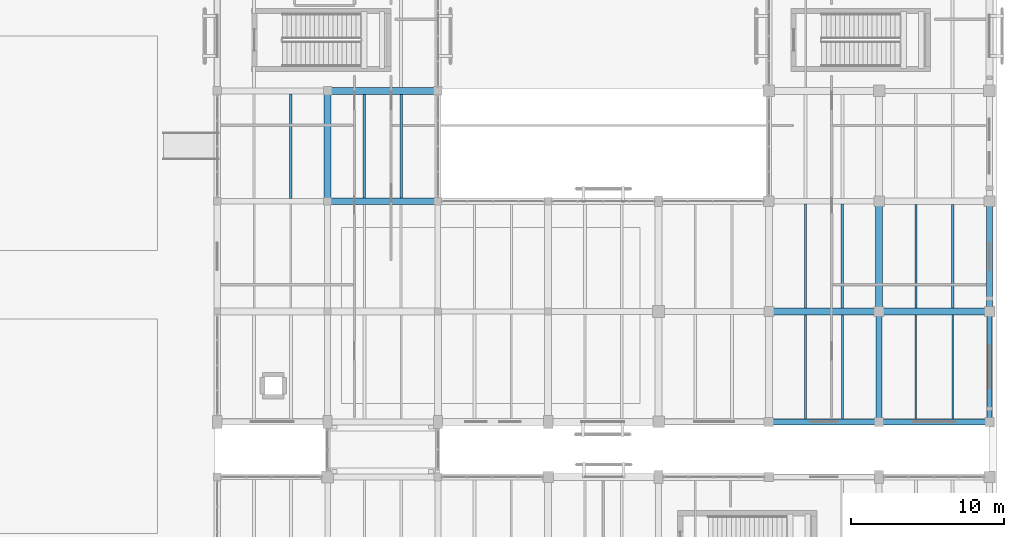
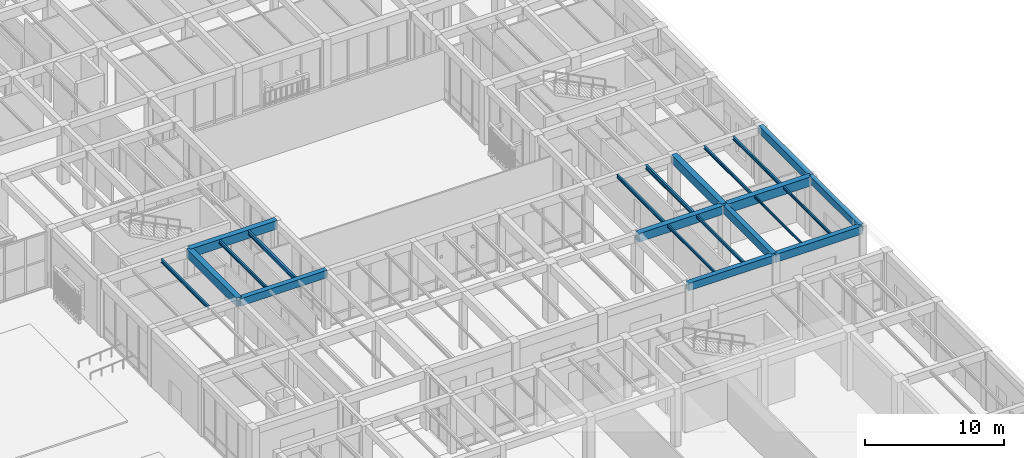
# One storey, part 93 of 169: 22 beams.
"""IFC4 building model written with IfcOpenShell, lengths in metres."""

from ifc_helpers import new_model, si_unit, direction, frame, origin, origin_2d, place, context, subcontext, project, spatial, rectangle, i_section, extrude, material, material_profile, profile_set, type_object, element, save


model = new_model("IFC4")

# Units and contexts
model_context = context("Model", 3, precision=1e-05, world=origin(), true_north=direction((0.0, 1.0)))
body_context = subcontext(model_context, "Body", "Model", "MODEL_VIEW")
ifc_project = project(units=[si_unit("LENGTHUNIT", "METRE"), si_unit("AREAUNIT", "SQUARE_METRE"), si_unit("VOLUMEUNIT", "CUBIC_METRE"), si_unit("PLANEANGLEUNIT", "RADIAN"), si_unit("MASSUNIT", "GRAM", prefix="KILO")], contexts=[model_context])

# Site, building, storey
site_placement = place(None, origin())
site = spatial("IfcSite", under=ifc_project, at=site_placement, CompositionType="ELEMENT")
building_placement = place(site_placement, origin())
building = spatial("IfcBuilding", under=site, at=building_placement, Name="Mazaris Harbour Polytechnic", CompositionType="ELEMENT")
storey_placement = place(building_placement, origin())
storey = spatial("IfcBuildingStorey", under=building, at=storey_placement, Name="L00", CompositionType="ELEMENT", Elevation=0.0)

# Beams
ifc_material_1 = material(Name="Concrete C35/45", Category="concrete")
ifc_material_profile_1 = material_profile(ifc_material_1, rectangle(XDim=0.35009765625, YDim=0.60009765625, at=origin_2d()), Name="RECT350x600")
ifc_profile_set_1 = profile_set([ifc_material_profile_1], Name="Concrete C35/45")
beam_type_1 = type_object("IfcBeamType", Name="RC Girder 350x600 Exterior", PredefinedType="BEAM", material=ifc_profile_set_1)
beam_1_placement = place(storey_placement, frame((172.800048828125, 46.800048828125, 4.800048828125), z_axis=(0.0, 1.0, 0.0), x_axis=(-1.0, 0.0, 0.0)))
element("IfcBeam", 1, at=beam_1_placement, inside=storey, type_object=beam_type_1, Name="V5 L00 Tie Girder 2810", PredefinedType="BEAM", context=body_context, shape_type="SweptSolid", body=[
    extrude(rectangle(XDim=0.35009765625, YDim=0.60009765625, at=origin_2d()), origin(), (0.0, 0.0, 1.0), 7.199951171875),
])
ifc_material_2 = material(Name="Concrete C35/45", Category="concrete")
ifc_material_profile_2 = material_profile(ifc_material_2, rectangle(XDim=0.39990234375, YDim=0.64990234375, at=origin_2d()), Name="RECT400x650")
ifc_profile_set_2 = profile_set([ifc_material_profile_2], Name="Concrete C35/45")
beam_type_2 = type_object("IfcBeamType", Name="RC Girder 400x650", PredefinedType="BEAM", material=ifc_profile_set_2)
beam_2_placement = place(storey_placement, frame((129.60009765625, 61.199951171875, 4.77490234375), z_axis=(1.0, 0.0, 0.0), x_axis=(0.0, 1.0, 0.0)))
element("IfcBeam", 2, at=beam_2_placement, inside=storey, type_object=beam_type_2, Name="V5 L00 Girder 2711", PredefinedType="BEAM", context=body_context, shape_type="SweptSolid", body=[
    extrude(rectangle(XDim=0.39990234375, YDim=0.64990234375, at=origin_2d()), origin(), (0.0, 0.0, 1.0), 7.199951171875),
])
ifc_material_3 = material(Name="Concrete C35/45", Category="concrete")
ifc_material_profile_3 = material_profile(ifc_material_3, rectangle(XDim=0.39990234375, YDim=0.64990234375, at=origin_2d()), Name="RECT400x650")
ifc_profile_set_3 = profile_set([ifc_material_profile_3], Name="Concrete C35/45")
beam_type_3 = type_object("IfcBeamType", Name="RC Girder 400x650 Exterior", PredefinedType="BEAM", material=ifc_profile_set_3)
beam_3_placement = place(storey_placement, frame((158.39990234375, 46.800048828125, 4.77490234375), z_axis=(1.0, 0.0, 0.0), x_axis=(0.0, 1.0, 0.0)))
element("IfcBeam", 3, at=beam_3_placement, inside=storey, type_object=beam_type_3, Name="V5 L00 Girder 2701", PredefinedType="BEAM", context=body_context, shape_type="SweptSolid", body=[
    extrude(rectangle(XDim=0.39990234375, YDim=0.64990234375, at=origin_2d()), origin(), (0.0, 0.0, 1.0), 7.2001953125),
])
beam_4_placement = place(storey_placement, frame((172.800048828125, 54.0, 4.77490234375), z_axis=(0.0, 1.0, 0.0), x_axis=(-1.0, 0.0, 0.0)))
element("IfcBeam", 4, at=beam_4_placement, inside=storey, type_object=beam_type_3, Name="V5 L00 Tie Girder 2811", PredefinedType="BEAM", context=body_context, shape_type="SweptSolid", body=[
    extrude(rectangle(XDim=0.39990234375, YDim=0.64990234375, at=origin_2d()), origin(), (0.0, 0.0, 1.0), 7.199951171875),
])
ifc_material_4 = material(Name="Concrete C35/45", Category="concrete")
ifc_material_profile_4 = material_profile(ifc_material_4, rectangle(XDim=0.39990234375, YDim=0.699951171875, at=origin_2d()), Name="RECT400x700")
ifc_profile_set_4 = profile_set([ifc_material_profile_4], Name="Concrete C35/45")
beam_type_4 = type_object("IfcBeamType", Name="RC Girder 400x700", PredefinedType="BEAM", material=ifc_profile_set_4)
beam_5_placement = place(storey_placement, frame((165.60009765625, 46.800048828125, 4.75), z_axis=(0.0, 1.0, 0.0), x_axis=(-1.0, 0.0, 0.0)))
element("IfcBeam", 5, at=beam_5_placement, inside=storey, type_object=beam_type_4, Name="V5 L00 Tie Girder 2802", PredefinedType="BEAM", context=body_context, shape_type="SweptSolid", body=[
    extrude(rectangle(XDim=0.39990234375, YDim=0.699951171875, at=origin_2d()), origin(), (0.0, 0.0, 1.0), 7.199951171875),
])
ifc_material_5 = material(Name="Concrete C35/45", Category="concrete")
ifc_material_profile_5 = material_profile(ifc_material_5, rectangle(XDim=0.39990234375, YDim=0.699951171875, at=origin_2d()), Name="RECT400x700")
ifc_profile_set_5 = profile_set([ifc_material_profile_5], Name="Concrete C35/45")
beam_type_5 = type_object("IfcBeamType", Name="RC Girder 400x700 Exterior", PredefinedType="BEAM", material=ifc_profile_set_5)
beam_6_placement = place(storey_placement, frame((165.60009765625, 46.800048828125, 4.75), z_axis=(1.0, 0.0, 0.0), x_axis=(0.0, 1.0, 0.0)))
element("IfcBeam", 6, at=beam_6_placement, inside=storey, type_object=beam_type_5, Name="V5 L00 Girder 2702", PredefinedType="BEAM", context=body_context, shape_type="SweptSolid", body=[
    extrude(rectangle(XDim=0.39990234375, YDim=0.699951171875, at=origin_2d()), origin(), (0.0, 0.0, 1.0), 7.199951171875),
])
ifc_material_6 = material(Name="Concrete C40/50", Category="concrete")
ifc_material_profile_6 = material_profile(ifc_material_6, rectangle(XDim=0.449951171875, YDim=0.75, at=origin_2d()), Name="RECT450x750")
ifc_profile_set_6 = profile_set([ifc_material_profile_6], Name="Concrete C40/50")
beam_type_6 = type_object("IfcBeamType", Name="RC Girder 450x750", PredefinedType="BEAM", material=ifc_profile_set_6)
beam_7_placement = place(storey_placement, frame((158.39990234375, 54.0, 4.72509765625), z_axis=(1.0, 0.0, 0.0), x_axis=(0.0, 1.0, 0.0)))
element("IfcBeam", 7, at=beam_7_placement, inside=storey, type_object=beam_type_6, Name="V5 L00 Girder 2708", PredefinedType="BEAM", context=body_context, shape_type="SweptSolid", body=[
    extrude(rectangle(XDim=0.449951171875, YDim=0.75, at=origin_2d()), origin(), (0.0, 0.0, 1.0), 7.2001953125),
])
for number, where, z_axis, x_axis, name in (
    (8, (129.60009765625, 68.39990234375, 4.72509765625), (1.0, 0.0, 0.0), (0.0, 1.0, 0.0), "V5 L00 Girder 2718"),
    (9, (129.60009765625, 61.199951171875, 4.72509765625), (0.0, 1.0, 0.0), (-1.0, 0.0, 0.0), "V5 L00 Tie Girder 2768"),
    (10, (165.60009765625, 54.0, 4.72509765625), (0.0, 1.0, 0.0), (-1.0, 0.0, 0.0), "V5 L00 Tie Girder 2803"),
):
    element("IfcBeam", number, at=place(storey_placement, frame(where, z_axis=z_axis, x_axis=x_axis)), inside=storey, type_object=beam_type_6, Name=name, PredefinedType="BEAM", context=body_context, shape_type="SweptSolid", body=[
        extrude(rectangle(XDim=0.449951171875, YDim=0.75, at=origin_2d()), origin(), (0.0, 0.0, 1.0), 7.199951171875),
    ])
ifc_material_7 = material(Name="Concrete C40/50", Category="concrete")
ifc_material_profile_7 = material_profile(ifc_material_7, rectangle(XDim=0.449951171875, YDim=0.800048828125, at=origin_2d()), Name="RECT450x800")
ifc_profile_set_7 = profile_set([ifc_material_profile_7], Name="Concrete C40/50")
beam_type_7 = type_object("IfcBeamType", Name="RC Girder 450x800", PredefinedType="BEAM", material=ifc_profile_set_7)
beam_8_placement = place(storey_placement, frame((165.60009765625, 54.0, 4.699951171875), z_axis=(1.0, 0.0, 0.0), x_axis=(0.0, 1.0, 0.0)))
element("IfcBeam", 11, at=beam_8_placement, inside=storey, type_object=beam_type_7, Name="V5 L00 Girder 2709", PredefinedType="BEAM", context=body_context, shape_type="SweptSolid", body=[
    extrude(rectangle(XDim=0.449951171875, YDim=0.800048828125, at=origin_2d()), origin(), (0.0, 0.0, 1.0), 7.199951171875),
])
ifc_material_8 = material(Name="Steel S355", Category="steel")
ifc_material_profile_8 = material_profile(ifc_material_8, i_section(OverallWidth=0.10009765625, OverallDepth=0.199951171875, WebThickness=0.005615234375, FlangeThickness=0.008544921875, FilletRadius=0.011962890625, at=origin_2d()), Name="IPE 200")
ifc_profile_set_8 = profile_set([ifc_material_profile_8], Name="Steel S355")
beam_type_8 = type_object("IfcBeamType", Name="Steel Joist IPE200", PredefinedType="JOIST", material=ifc_profile_set_8)
beam_9_placement = place(storey_placement, frame((168.0, 47.0, 5.0), z_axis=(0.0, 1.0, 0.0), x_axis=(-1.0, 0.0, 0.0)))
element("IfcBeam", 12, at=beam_9_placement, inside=storey, type_object=beam_type_8, Name="V5 L00 Floor Joist 2891", PredefinedType="JOIST", context=body_context, shape_type="SweptSolid", body=[
    extrude(i_section(OverallWidth=0.10009765625, OverallDepth=0.199951171875, WebThickness=0.005615234375, FlangeThickness=0.008544921875, FilletRadius=0.011962890625, at=origin_2d()), origin(), (0.0, 0.0, 1.0), 6.77490234375),
])
ifc_material_9 = material(Name="Steel S355", Category="steel")
ifc_material_profile_9 = material_profile(ifc_material_9, i_section(OverallWidth=0.1201171875, OverallDepth=0.239990234375, WebThickness=0.006103515625, FlangeThickness=0.009765625, FilletRadius=0.014892578125, at=origin_2d()), Name="IPE 240")
ifc_profile_set_9 = profile_set([ifc_material_profile_9], Name="Steel S355")
beam_type_9 = type_object("IfcBeamType", Name="Steel Joist IPE240", PredefinedType="JOIST", material=ifc_profile_set_9)
for number, where, z_axis, x_axis, name in (
    (13, (160.800048828125, 47.0, 4.97998046875), (0.0, 1.0, 0.0), (-1.0, 0.0, 0.0), "V5 L00 Floor Joist 2878"),
    (14, (170.39990234375, 47.0, 4.97998046875), (0.0, 1.0, 0.0), (-1.0, 0.0, 0.0), "V5 L00 Floor Joist 2892"),
):
    element("IfcBeam", number, at=place(storey_placement, frame(where, z_axis=z_axis, x_axis=x_axis)), inside=storey, type_object=beam_type_9, Name=name, PredefinedType="JOIST", context=body_context, shape_type="SweptSolid", body=[
        extrude(i_section(OverallWidth=0.1201171875, OverallDepth=0.239990234375, WebThickness=0.006103515625, FlangeThickness=0.009765625, FilletRadius=0.014892578125, at=origin_2d()), origin(), (0.0, 0.0, 1.0), 6.77490234375),
    ])
ifc_material_10 = material(Name="Steel S355", Category="steel")
ifc_material_profile_10 = material_profile(ifc_material_10, i_section(OverallWidth=0.135009765625, OverallDepth=0.27001953125, WebThickness=0.006591796875, FlangeThickness=0.01025390625, FilletRadius=0.014892578125, at=origin_2d()), Name="IPE 270")
ifc_profile_set_10 = profile_set([ifc_material_profile_10], Name="Steel S355")
beam_type_10 = type_object("IfcBeamType", Name="Steel Joist IPE270", PredefinedType="JOIST", material=ifc_profile_set_10)
for number, where, z_axis, x_axis, name in (
    (15, (163.199951171875, 47.0, 4.965087890625), (0.0, 1.0, 0.0), (-1.0, 0.0, 0.0), "V5 L00 Floor Joist 2879"),
    (16, (168.0, 54.22509765625, 4.965087890625), (0.0, 1.0, 0.0), (-1.0, 0.0, 0.0), "V5 L00 Floor Joist 2893"),
):
    element("IfcBeam", number, at=place(storey_placement, frame(where, z_axis=z_axis, x_axis=x_axis)), inside=storey, type_object=beam_type_10, Name=name, PredefinedType="JOIST", context=body_context, shape_type="SweptSolid", body=[
        extrude(i_section(OverallWidth=0.135009765625, OverallDepth=0.27001953125, WebThickness=0.006591796875, FlangeThickness=0.01025390625, FilletRadius=0.014892578125, at=origin_2d()), origin(), (0.0, 0.0, 1.0), 6.77490234375),
    ])
ifc_material_11 = material(Name="Steel S355", Category="steel")
ifc_material_profile_11 = material_profile(ifc_material_11, i_section(OverallWidth=0.14990234375, OverallDepth=0.300048828125, WebThickness=0.007080078125, FlangeThickness=0.0107421875, FilletRadius=0.014892578125, at=origin_2d()), Name="IPE 300")
ifc_profile_set_11 = profile_set([ifc_material_profile_11], Name="Steel S355")
beam_type_11 = type_object("IfcBeamType", Name="Steel Joist IPE300", PredefinedType="JOIST", material=ifc_profile_set_11)
beam_10_placement = place(storey_placement, frame((127.199951171875, 61.375, 4.949951171875), z_axis=(0.0, 1.0, 0.0), x_axis=(-1.0, 0.0, 0.0)))
element("IfcBeam", 17, at=beam_10_placement, inside=storey, type_object=beam_type_11, Name="V5 L00 Floor Joist 2824", PredefinedType="JOIST", context=body_context, shape_type="SweptSolid", body=[
    extrude(i_section(OverallWidth=0.14990234375, OverallDepth=0.300048828125, WebThickness=0.007080078125, FlangeThickness=0.0107421875, FilletRadius=0.014892578125, at=origin_2d()), origin(), (0.0, 0.0, 1.0), 6.824951171875),
])
beam_11_placement = place(storey_placement, frame((132.0, 61.39990234375, 4.949951171875), z_axis=(0.0, 1.0, 0.0), x_axis=(-1.0, 0.0, 0.0)))
element("IfcBeam", 18, at=beam_11_placement, inside=storey, type_object=beam_type_11, Name="V5 L00 Floor Joist 2838", PredefinedType="JOIST", context=body_context, shape_type="SweptSolid", body=[
    extrude(i_section(OverallWidth=0.14990234375, OverallDepth=0.300048828125, WebThickness=0.007080078125, FlangeThickness=0.0107421875, FilletRadius=0.014892578125, at=origin_2d()), origin(), (0.0, 0.0, 1.0), 6.775146484375),
])
beam_12_placement = place(storey_placement, frame((160.800048828125, 54.22509765625, 4.949951171875), z_axis=(0.0, 1.0, 0.0), x_axis=(-1.0, 0.0, 0.0)))
element("IfcBeam", 19, at=beam_12_placement, inside=storey, type_object=beam_type_11, Name="V5 L00 Floor Joist 2880", PredefinedType="JOIST", context=body_context, shape_type="SweptSolid", body=[
    extrude(i_section(OverallWidth=0.14990234375, OverallDepth=0.300048828125, WebThickness=0.007080078125, FlangeThickness=0.0107421875, FilletRadius=0.014892578125, at=origin_2d()), origin(), (0.0, 0.0, 1.0), 6.7998046875),
])
beam_13_placement = place(storey_placement, frame((170.39990234375, 54.22509765625, 4.949951171875), z_axis=(0.0, 1.0, 0.0), x_axis=(-1.0, 0.0, 0.0)))
element("IfcBeam", 20, at=beam_13_placement, inside=storey, type_object=beam_type_11, Name="V5 L00 Floor Joist 2894", PredefinedType="JOIST", context=body_context, shape_type="SweptSolid", body=[
    extrude(i_section(OverallWidth=0.14990234375, OverallDepth=0.300048828125, WebThickness=0.007080078125, FlangeThickness=0.0107421875, FilletRadius=0.014892578125, at=origin_2d()), origin(), (0.0, 0.0, 1.0), 6.77490234375),
])
ifc_material_12 = material(Name="Steel S355", Category="steel")
ifc_material_profile_12 = material_profile(ifc_material_12, i_section(OverallWidth=0.169921875, OverallDepth=0.360107421875, WebThickness=0.008056640625, FlangeThickness=0.0126953125, FilletRadius=0.01806640625, at=origin_2d()), Name="IPE 360")
ifc_profile_set_12 = profile_set([ifc_material_profile_12], Name="Steel S355")
beam_type_12 = type_object("IfcBeamType", Name="Steel Joist IPE360", PredefinedType="JOIST", material=ifc_profile_set_12)
beam_14_placement = place(storey_placement, frame((134.39990234375, 61.39990234375, 4.919921875), z_axis=(0.0, 1.0, 0.0), x_axis=(-1.0, 0.0, 0.0)))
element("IfcBeam", 21, at=beam_14_placement, inside=storey, type_object=beam_type_12, Name="V5 L00 Floor Joist 2839", PredefinedType="JOIST", context=body_context, shape_type="SweptSolid", body=[
    extrude(i_section(OverallWidth=0.169921875, OverallDepth=0.360107421875, WebThickness=0.008056640625, FlangeThickness=0.0126953125, FilletRadius=0.01806640625, at=origin_2d()), origin(), (0.0, 0.0, 1.0), 6.775146484375),
])
beam_15_placement = place(storey_placement, frame((163.199951171875, 54.22509765625, 4.919921875), z_axis=(0.0, 1.0, 0.0), x_axis=(-1.0, 0.0, 0.0)))
element("IfcBeam", 22, at=beam_15_placement, inside=storey, type_object=beam_type_12, Name="V5 L00 Floor Joist 2881", PredefinedType="JOIST", context=body_context, shape_type="SweptSolid", body=[
    extrude(i_section(OverallWidth=0.169921875, OverallDepth=0.360107421875, WebThickness=0.008056640625, FlangeThickness=0.0126953125, FilletRadius=0.01806640625, at=origin_2d()), origin(), (0.0, 0.0, 1.0), 6.7998046875),
])

save(model, "model.ifc")
